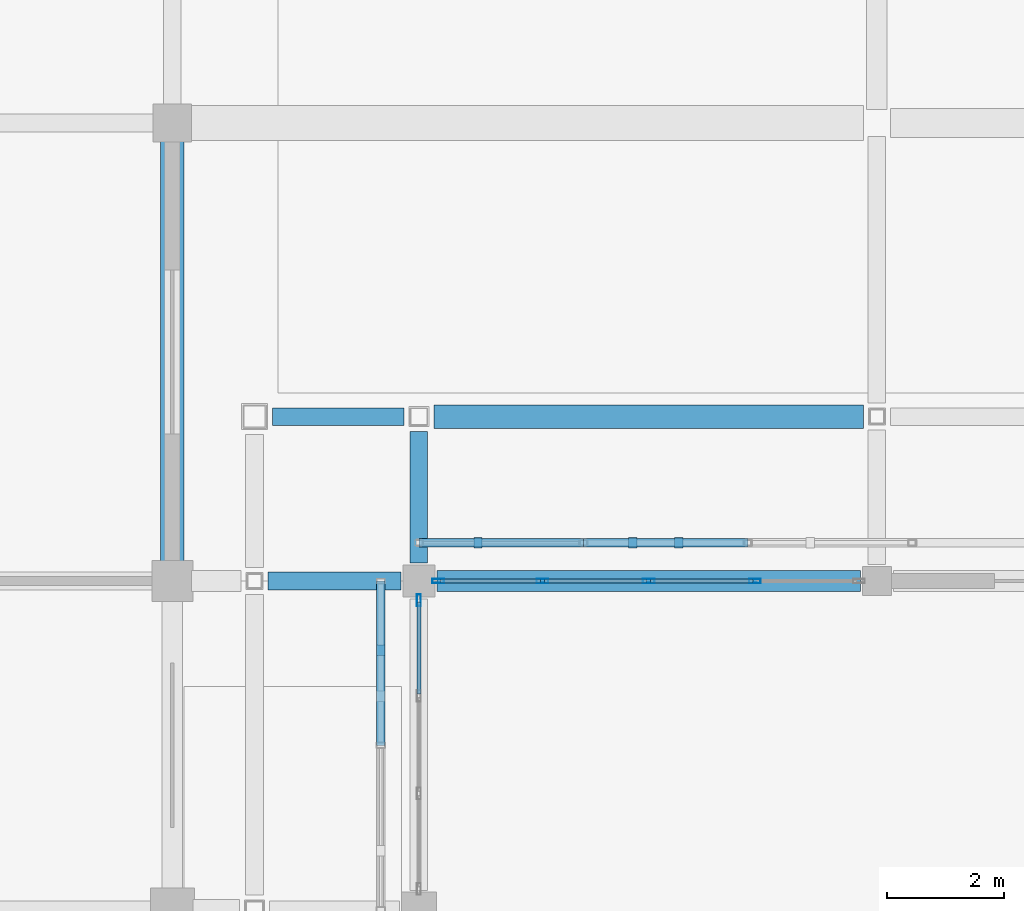
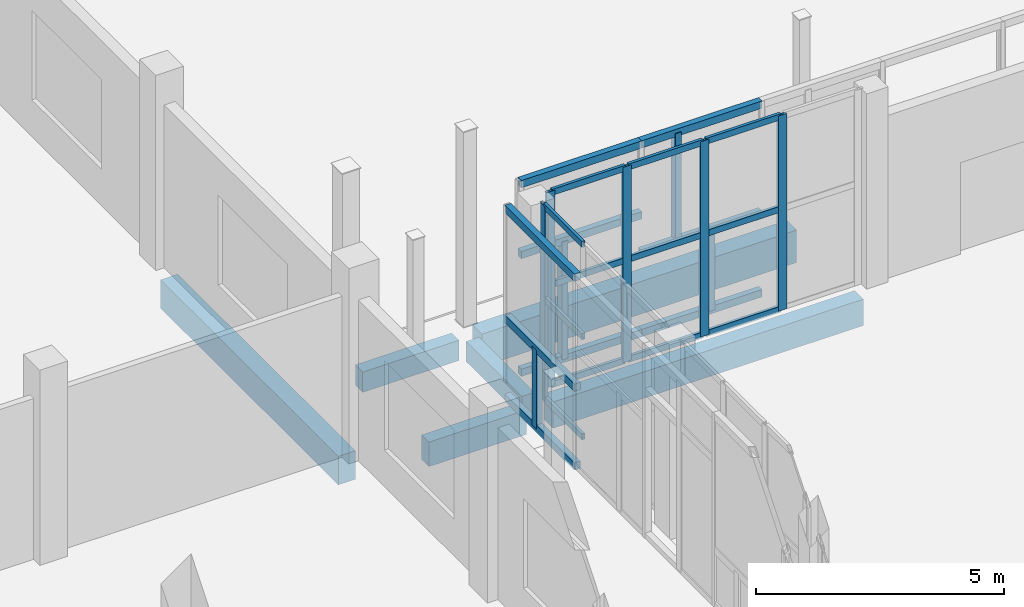
# One storey, part 38 of 91: 30 members, 6 beams, 2 elements without a shape of their own.
"""IFC4 building model written with IfcOpenShell, lengths in metres."""

from ifc_helpers import new_model, si_unit, direction, frame, origin, origin_2d, place, context, subcontext, project, spatial, rectangle, hollow_rectangle, extrude, material, layer, layer_set, material_profile, profile_set, type_object, element, aggregate, save


model = new_model("IFC4")

# Units and contexts
model_context = context("Model", 3, precision=1e-05, world=origin(), true_north=direction((0.0, 1.0)))
body_context = subcontext(model_context, "Body", "Model", "MODEL_VIEW")
ifc_project = project(units=[si_unit("LENGTHUNIT", "METRE"), si_unit("AREAUNIT", "SQUARE_METRE"), si_unit("VOLUMEUNIT", "CUBIC_METRE"), si_unit("PLANEANGLEUNIT", "RADIAN"), si_unit("MASSUNIT", "GRAM", prefix="KILO")], contexts=[model_context])

# Site, building, storey
site_placement = place(None, origin())
site = spatial("IfcSite", under=ifc_project, at=site_placement, CompositionType="ELEMENT")
building_placement = place(site_placement, origin())
building = spatial("IfcBuilding", under=site, at=building_placement, Name="Vinh Khe Railworks Police Headquarters", CompositionType="ELEMENT")
storey_placement = place(building_placement, origin())
storey = spatial("IfcBuildingStorey", under=building, at=storey_placement, Name="L00", CompositionType="ELEMENT", Elevation=0.0)

# Members
ifc_material_1 = material(Name="Salvaged ironwood timber", Category="wood")
ifc_material_profile_1 = material_profile(ifc_material_1, rectangle(XDim=0.139892578125, YDim=0.179931640625, at=origin_2d()), Name="TIMBER 140x180")
ifc_profile_set_1 = profile_set([ifc_material_profile_1], Name="Salvaged ironwood timber")
member_type_1 = type_object("IfcMemberType", Name="MEM-QUILT-STILE", PredefinedType="CHORD", material=ifc_profile_set_1)
for number, where, z_axis, x_axis, name in (
    (1, (26.39990234375, 59.449951171875, 4.719970703125), (1.0, 0.0, 0.0), (0.0, 1.0, 0.0), "Salvaged Timber Quilt Transom N-L00-00-TOP"),
    (2, (26.39990234375, 59.449951171875, 0.080078125), (1.0, 0.0, 0.0), (0.0, 1.0, 0.0), "Salvaged Timber Quilt Transom N-L00-00-BOT"),
    (3, (26.39990234375, 59.449951171875, 2.97607421875), (1.0, 0.0, 0.0), (0.0, 1.0, 0.0), "Salvaged Timber Quilt Transom N-L00-00-M1"),
):
    element("IfcMember", number, at=place(storey_placement, frame(where, z_axis=z_axis, x_axis=x_axis)), inside=storey, type_object=member_type_1, Name=name, PredefinedType="CHORD", context=body_context, shape_type="SweptSolid", body=[
        extrude(rectangle(XDim=0.139892578125, YDim=0.179931640625, at=origin_2d()), origin(), (0.0, 0.0, 1.0), 2.800048828125),
    ])
member_1_placement = place(storey_placement, frame((27.407958984375, 59.449951171875, 0.080078125), z_axis=(0.0, 0.0, 1.0), x_axis=(1.0, 0.0, 0.0)))
element("IfcMember", 4, at=member_1_placement, inside=storey, type_object=member_type_1, Name="Salvaged Timber Quilt Stile N-L00-00-V1", PredefinedType="POST", context=body_context, shape_type="SweptSolid", body=[
    extrude(rectangle(XDim=0.139892578125, YDim=0.179931640625, at=origin_2d()), origin(), (0.0, 0.0, 1.0), 2.89599609375),
])
for number, where, z_axis, x_axis, name in (
    (5, (29.199951171875, 59.449951171875, 4.719970703125), (1.0, 0.0, 0.0), (0.0, 1.0, 0.0), "Salvaged Timber Quilt Transom N-L00-01-TOP"),
    (6, (29.199951171875, 59.449951171875, 0.080078125), (1.0, 0.0, 0.0), (0.0, 1.0, 0.0), "Salvaged Timber Quilt Transom N-L00-01-BOT"),
    (7, (29.199951171875, 59.449951171875, 2.01611328125), (1.0, 0.0, 0.0), (0.0, 1.0, 0.0), "Salvaged Timber Quilt Transom N-L00-01-M1"),
):
    element("IfcMember", number, at=place(storey_placement, frame(where, z_axis=z_axis, x_axis=x_axis)), inside=storey, type_object=member_type_1, Name=name, PredefinedType="CHORD", context=body_context, shape_type="SweptSolid", body=[
        extrude(rectangle(XDim=0.139892578125, YDim=0.179931640625, at=origin_2d()), origin(), (0.0, 0.0, 1.0), 2.800048828125),
    ])
member_2_placement = place(storey_placement, frame((30.823974609375, 59.449951171875, 0.080078125), z_axis=(0.0, 0.0, 1.0), x_axis=(1.0, 0.0, 0.0)))
element("IfcMember", 8, at=member_2_placement, inside=storey, type_object=member_type_1, Name="Salvaged Timber Quilt Stile N-L00-01-V1", PredefinedType="POST", context=body_context, shape_type="SweptSolid", body=[
    extrude(rectangle(XDim=0.139892578125, YDim=0.179931640625, at=origin_2d()), origin(), (0.0, 0.0, 1.0), 1.93603515625),
])
member_3_placement = place(storey_placement, frame((30.0400390625, 59.449951171875, 2.01611328125), z_axis=(0.0, 0.0, 1.0), x_axis=(1.0, 0.0, 0.0)))
element("IfcMember", 9, at=member_3_placement, inside=storey, type_object=member_type_1, Name="Salvaged Timber Quilt Stile N-L00-01-V2", PredefinedType="POST", context=body_context, shape_type="SweptSolid", body=[
    extrude(rectangle(XDim=0.139892578125, YDim=0.179931640625, at=origin_2d()), origin(), (0.0, 0.0, 1.0), 2.703857421875),
])
for number, where, z_axis, x_axis, name in (
    (10, (25.75, 56.0, 4.719970703125), (0.0, 1.0, 0.0), (-1.0, 0.0, 0.0), "Salvaged Timber Quilt Transom W-L00-11-TOP"),
    (11, (25.75, 56.0, 0.080078125), (0.0, 1.0, 0.0), (-1.0, 0.0, 0.0), "Salvaged Timber Quilt Transom W-L00-11-BOT"),
    (12, (25.75, 56.0, 2.01611328125), (0.0, 1.0, 0.0), (-1.0, 0.0, 0.0), "Salvaged Timber Quilt Transom W-L00-11-M1"),
):
    element("IfcMember", number, at=place(storey_placement, frame(where, z_axis=z_axis, x_axis=x_axis)), inside=storey, type_object=member_type_1, Name=name, PredefinedType="CHORD", context=body_context, shape_type="SweptSolid", body=[
        extrude(rectangle(XDim=0.139892578125, YDim=0.179931640625, at=origin_2d()), origin(), (0.0, 0.0, 1.0), 2.800048828125),
    ])
member_4_placement = place(storey_placement, frame((25.75, 57.6240234375, 0.080078125), z_axis=(0.0, 0.0, 1.0), x_axis=(1.0, 0.0, 0.0)))
element("IfcMember", 13, at=member_4_placement, inside=storey, type_object=member_type_1, Name="Salvaged Timber Quilt Stile W-L00-11-V1", PredefinedType="POST", context=body_context, shape_type="SweptSolid", body=[
    extrude(rectangle(XDim=0.139892578125, YDim=0.179931640625, at=origin_2d()), origin(), (0.0, 0.0, 1.0), 1.93603515625),
])

# Curtain wall, members
ifc_material_2 = material(Name="Anodised aluminium and low-iron glass", Category="aluminium")
ifc_layer = layer(ifc_material_2, 0.179931640625)
ifc_layer_set = layer_set([ifc_layer], Name="Anodised aluminium and low-iron glass")
curtain_wall_type = type_object("IfcCurtainWallType", Name="CW-CUBE-UNIT", PredefinedType="USERDEFINED", material=ifc_layer_set)
curtain_wall_1_placement = place(storey_placement, origin())
curtain_wall_1 = element("IfcCurtainWall", 14, at=curtain_wall_1_placement, inside=storey, type_object=curtain_wall_type, Name="Entrance Hall Curtain Wall L00 N-1", ObjectType="UNITISED GLAZING", PredefinedType="USERDEFINED")
ifc_material_3 = material(Name="Anodised aluminium 6063-T6", Category="aluminium")
ifc_material_profile_2 = material_profile(ifc_material_3, hollow_rectangle(XDim=0.070068359375, YDim=0.199951171875, WallThickness=0.0048828125, at=origin_2d()), Name="CW-M 70x200x5")
ifc_profile_set_2 = profile_set([ifc_material_profile_2], Name="Anodised aluminium 6063-T6")
member_type_2 = type_object("IfcMemberType", Name="MULL-CWM-03", PredefinedType="MULLION", material=ifc_profile_set_2)
member_5_placement = place(storey_placement, frame((26.72998046875, 58.800048828125, 0.0), z_axis=(0.0, 0.0, 1.0), x_axis=(0.0, 1.0, 0.0)))
member_5 = element("IfcMember", 15, at=member_5_placement, type_object=member_type_2, Name="CW-01 mullion 1", PredefinedType="MULLION", context=body_context, shape_type="SweptSolid", body=[
    extrude(hollow_rectangle(XDim=0.070068359375, YDim=0.199951171875, WallThickness=0.0048828125, at=origin_2d()), origin(), (0.0, 0.0, 1.0), 4.800048828125),
])
member_6_placement = place(storey_placement, frame((28.503662109375, 58.800048828125, 0.0), z_axis=(0.0, 0.0, 1.0), x_axis=(0.0, 1.0, 0.0)))
member_6 = element("IfcMember", 16, at=member_6_placement, type_object=member_type_2, Name="CW-01 mullion 2", PredefinedType="MULLION", context=body_context, shape_type="SweptSolid", body=[
    extrude(hollow_rectangle(XDim=0.070068359375, YDim=0.199951171875, WallThickness=0.0048828125, at=origin_2d()), origin(), (0.0, 0.0, 1.0), 4.800048828125),
])
member_7_placement = place(storey_placement, frame((30.3125, 58.800048828125, 0.0), z_axis=(0.0, 0.0, 1.0), x_axis=(0.0, 1.0, 0.0)))
member_7 = element("IfcMember", 17, at=member_7_placement, type_object=member_type_2, Name="CW-01 mullion 3", PredefinedType="MULLION", context=body_context, shape_type="SweptSolid", body=[
    extrude(hollow_rectangle(XDim=0.070068359375, YDim=0.199951171875, WallThickness=0.0048828125, at=origin_2d()), origin(), (0.0, 0.0, 1.0), 4.800048828125),
])
member_8_placement = place(storey_placement, frame((32.121337890625, 58.800048828125, 0.0), z_axis=(0.0, 0.0, 1.0), x_axis=(0.0, 1.0, 0.0)))
member_8 = element("IfcMember", 18, at=member_8_placement, type_object=member_type_2, Name="CW-01 mullion 4", PredefinedType="MULLION", context=body_context, shape_type="SweptSolid", body=[
    extrude(hollow_rectangle(XDim=0.070068359375, YDim=0.199951171875, WallThickness=0.0048828125, at=origin_2d()), origin(), (0.0, 0.0, 1.0), 4.800048828125),
])

# Curtain wall, member
curtain_wall_2_placement = place(storey_placement, origin())
curtain_wall_2 = element("IfcCurtainWall", 19, at=curtain_wall_2_placement, inside=storey, type_object=curtain_wall_type, Name="Entrance Hall Curtain Wall L00 W-6", ObjectType="UNITISED GLAZING", PredefinedType="USERDEFINED")
member_9_placement = place(storey_placement, frame((26.39990234375, 58.469970703125, 0.0), z_axis=(0.0, 0.0, 1.0), x_axis=(-1.0, 0.0, 0.0)))
member_9 = element("IfcMember", 20, at=member_9_placement, type_object=member_type_2, Name="CW-01 mullion 4", PredefinedType="MULLION", context=body_context, shape_type="SweptSolid", body=[
    extrude(hollow_rectangle(XDim=0.070068359375, YDim=0.199951171875, WallThickness=0.0048828125, at=origin_2d()), origin(), (0.0, 0.0, 1.0), 4.800048828125),
])

# Beams
ifc_material_4 = material(Name="Concrete C35/45 (B35)", Category="concrete")
ifc_material_profile_3 = material_profile(ifc_material_4, rectangle(XDim=0.300048828125, YDim=0.5, at=origin_2d()), Name="RC 300x500")
ifc_profile_set_3 = profile_set([ifc_material_profile_3], Name="Concrete C35/45 (B35)")
beam_type_1 = type_object("IfcBeamType", Name="RC Girder RC 300x500", PredefinedType="BEAM", material=ifc_profile_set_3)
for number, where, z_axis, x_axis, name in (
    (21, (23.905029296875, 61.60009765625, -0.530029296875), (1.0, 0.0, 0.0), (0.0, 1.0, 0.0), "Girder BM-L00-EW-RB-10-0084"),
    (22, (26.39990234375, 59.10498046875, -0.530029296875), (0.0, 1.0, 0.0), (-1.0, 0.0, 0.0), "Girder BM-L00-NS-RB-10-0282"),
):
    element("IfcBeam", number, at=place(storey_placement, frame(where, z_axis=z_axis, x_axis=x_axis)), inside=storey, type_object=beam_type_1, Name=name, PredefinedType="BEAM", context=body_context, shape_type="SweptSolid", body=[
        extrude(rectangle(XDim=0.300048828125, YDim=0.5, at=origin_2d()), origin(), (0.0, 0.0, 1.0), 2.239990234375),
    ])
ifc_material_profile_4 = material_profile(ifc_material_4, rectangle(XDim=0.300048828125, YDim=0.60009765625, at=origin_2d()), Name="RC 300x600")
ifc_profile_set_4 = profile_set([ifc_material_profile_4], Name="Concrete C35/45 (B35)")
beam_type_2 = type_object("IfcBeamType", Name="RC Girder RC 300x600", PredefinedType="BEAM", material=ifc_profile_set_4)
beam_1_placement = place(storey_placement, frame((23.830078125, 58.800048828125, -0.580078125), z_axis=(1.0, 0.0, 0.0), x_axis=(0.0, 1.0, 0.0)))
element("IfcBeam", 23, at=beam_1_placement, inside=storey, type_object=beam_type_2, Name="Girder BM-L00-EW-RB-09-0077", PredefinedType="BEAM", context=body_context, shape_type="SweptSolid", body=[
    extrude(rectangle(XDim=0.300048828125, YDim=0.60009765625, at=origin_2d()), origin(), (0.0, 0.0, 1.0), 2.264892578125),
])
ifc_material_profile_5 = material_profile(ifc_material_4, rectangle(XDim=0.35009765625, YDim=0.64990234375, at=origin_2d()), Name="RC 350x650")
ifc_profile_set_5 = profile_set([ifc_material_profile_5], Name="Concrete C35/45 (B35)")
beam_type_3 = type_object("IfcBeamType", Name="RC Girder RC 350x650", PredefinedType="BEAM", material=ifc_profile_set_5)
beam_2_placement = place(storey_placement, frame((26.705078125, 58.800048828125, -0.60498046875), z_axis=(1.0, 0.0, 0.0), x_axis=(0.0, 1.0, 0.0)))
element("IfcBeam", 24, at=beam_2_placement, inside=storey, type_object=beam_type_3, Name="Girder BM-L00-EW-RB-08-0078", PredefinedType="BEAM", context=body_context, shape_type="SweptSolid", body=[
    extrude(rectangle(XDim=0.35009765625, YDim=0.64990234375, at=origin_2d()), origin(), (0.0, 0.0, 1.0), 7.21484375),
])
ifc_material_profile_6 = material_profile(ifc_material_4, rectangle(XDim=0.39990234375, YDim=0.699951171875, at=origin_2d()), Name="RC 400x700")
ifc_profile_set_6 = profile_set([ifc_material_profile_6], Name="Concrete C35/45 (B35)")
beam_type_4 = type_object("IfcBeamType", Name="RC Girder RC 400x700", PredefinedType="BEAM", material=ifc_profile_set_6)
beam_3_placement = place(storey_placement, frame((22.199951171875, 59.1298828125, -0.6298828125), z_axis=(0.0, 1.0, 0.0), x_axis=(-1.0, 0.0, 0.0)))
element("IfcBeam", 25, at=beam_3_placement, inside=storey, type_object=beam_type_4, Name="Girder BM-L00-NS-RB-07-0254", PredefinedType="BEAM", context=body_context, shape_type="SweptSolid", body=[
    extrude(rectangle(XDim=0.39990234375, YDim=0.699951171875, at=origin_2d()), origin(), (0.0, 0.0, 1.0), 7.1650390625),
])
ifc_material_profile_7 = material_profile(ifc_material_4, rectangle(XDim=0.39990234375, YDim=0.800048828125, at=origin_2d()), Name="RC 400x800")
ifc_profile_set_7 = profile_set([ifc_material_profile_7], Name="Concrete C35/45 (B35)")
beam_type_5 = type_object("IfcBeamType", Name="RC Girder RC 400x800", PredefinedType="BEAM", material=ifc_profile_set_7)
beam_4_placement = place(storey_placement, frame((26.655029296875, 61.60009765625, -0.679931640625), z_axis=(1.0, 0.0, 0.0), x_axis=(0.0, 1.0, 0.0)))
element("IfcBeam", 26, at=beam_4_placement, inside=storey, type_object=beam_type_5, Name="Girder BM-L00-EW-RB-06-0085", PredefinedType="BEAM", context=body_context, shape_type="SweptSolid", body=[
    extrude(rectangle(XDim=0.39990234375, YDim=0.800048828125, at=origin_2d()), origin(), (0.0, 0.0, 1.0), 7.31494140625),
])

# Member
ifc_material_profile_8 = material_profile(ifc_material_3, hollow_rectangle(XDim=0.070068359375, YDim=0.14990234375, WallThickness=0.0048828125, at=origin_2d()), Name="CW-T 70x150x5")
ifc_profile_set_8 = profile_set([ifc_material_profile_8], Name="Anodised aluminium 6063-T6")
member_type_3 = type_object("IfcMemberType", Name="TRAN-CWT-03", PredefinedType="USERDEFINED", material=ifc_profile_set_8)
member_10_placement = place(storey_placement, frame((26.764892578125, 58.800048828125, 0.034912109375), z_axis=(1.0, 0.0, 0.0), x_axis=(0.0, 1.0, 0.0)))
member_10 = element("IfcMember", 27, at=member_10_placement, type_object=member_type_3, Name="CW-01 transom 1.1", ObjectType="TRANSOM", PredefinedType="USERDEFINED", context=body_context, shape_type="SweptSolid", body=[
    extrude(hollow_rectangle(XDim=0.070068359375, YDim=0.14990234375, WallThickness=0.0048828125, at=origin_2d()), origin(), (0.0, 0.0, 1.0), 1.703857421875),
])

member_11_placement = place(storey_placement, frame((26.764892578125, 58.800048828125, 2.49609375), z_axis=(1.0, 0.0, 0.0), x_axis=(0.0, 1.0, 0.0)))
member_11 = element("IfcMember", 28, at=member_11_placement, type_object=member_type_3, Name="CW-01 transom 1.2", ObjectType="TRANSOM", PredefinedType="USERDEFINED", context=body_context, shape_type="SweptSolid", body=[
    extrude(hollow_rectangle(XDim=0.070068359375, YDim=0.14990234375, WallThickness=0.0048828125, at=origin_2d()), origin(), (0.0, 0.0, 1.0), 1.703857421875),
])

member_12_placement = place(storey_placement, frame((26.764892578125, 58.800048828125, 4.764892578125), z_axis=(1.0, 0.0, 0.0), x_axis=(0.0, 1.0, 0.0)))
member_12 = element("IfcMember", 29, at=member_12_placement, type_object=member_type_3, Name="CW-01 transom 1.3", ObjectType="TRANSOM", PredefinedType="USERDEFINED", context=body_context, shape_type="SweptSolid", body=[
    extrude(hollow_rectangle(XDim=0.070068359375, YDim=0.14990234375, WallThickness=0.0048828125, at=origin_2d()), origin(), (0.0, 0.0, 1.0), 1.703857421875),
])

member_13_placement = place(storey_placement, frame((28.538818359375, 58.800048828125, 0.034912109375), z_axis=(1.0, 0.0, 0.0), x_axis=(0.0, 1.0, 0.0)))
member_13 = element("IfcMember", 30, at=member_13_placement, type_object=member_type_3, Name="CW-01 transom 2.1", ObjectType="TRANSOM", PredefinedType="USERDEFINED", context=body_context, shape_type="SweptSolid", body=[
    extrude(hollow_rectangle(XDim=0.070068359375, YDim=0.14990234375, WallThickness=0.0048828125, at=origin_2d()), origin(), (0.0, 0.0, 1.0), 1.73876953125),
])

member_14_placement = place(storey_placement, frame((28.538818359375, 58.800048828125, 2.49609375), z_axis=(1.0, 0.0, 0.0), x_axis=(0.0, 1.0, 0.0)))
member_14 = element("IfcMember", 31, at=member_14_placement, type_object=member_type_3, Name="CW-01 transom 2.2", ObjectType="TRANSOM", PredefinedType="USERDEFINED", context=body_context, shape_type="SweptSolid", body=[
    extrude(hollow_rectangle(XDim=0.070068359375, YDim=0.14990234375, WallThickness=0.0048828125, at=origin_2d()), origin(), (0.0, 0.0, 1.0), 1.73876953125),
])

member_15_placement = place(storey_placement, frame((28.538818359375, 58.800048828125, 4.764892578125), z_axis=(1.0, 0.0, 0.0), x_axis=(0.0, 1.0, 0.0)))
member_15 = element("IfcMember", 32, at=member_15_placement, type_object=member_type_3, Name="CW-01 transom 2.3", ObjectType="TRANSOM", PredefinedType="USERDEFINED", context=body_context, shape_type="SweptSolid", body=[
    extrude(hollow_rectangle(XDim=0.070068359375, YDim=0.14990234375, WallThickness=0.0048828125, at=origin_2d()), origin(), (0.0, 0.0, 1.0), 1.73876953125),
])

member_16_placement = place(storey_placement, frame((30.347412109375, 58.800048828125, 0.034912109375), z_axis=(1.0, 0.0, 0.0), x_axis=(0.0, 1.0, 0.0)))
member_16 = element("IfcMember", 33, at=member_16_placement, type_object=member_type_3, Name="CW-01 transom 3.1", ObjectType="TRANSOM", PredefinedType="USERDEFINED", context=body_context, shape_type="SweptSolid", body=[
    extrude(hollow_rectangle(XDim=0.070068359375, YDim=0.14990234375, WallThickness=0.0048828125, at=origin_2d()), origin(), (0.0, 0.0, 1.0), 1.73876953125),
])

member_17_placement = place(storey_placement, frame((30.347412109375, 58.800048828125, 2.49609375), z_axis=(1.0, 0.0, 0.0), x_axis=(0.0, 1.0, 0.0)))
member_17 = element("IfcMember", 34, at=member_17_placement, type_object=member_type_3, Name="CW-01 transom 3.2", ObjectType="TRANSOM", PredefinedType="USERDEFINED", context=body_context, shape_type="SweptSolid", body=[
    extrude(hollow_rectangle(XDim=0.070068359375, YDim=0.14990234375, WallThickness=0.0048828125, at=origin_2d()), origin(), (0.0, 0.0, 1.0), 1.73876953125),
])

member_18_placement = place(storey_placement, frame((30.347412109375, 58.800048828125, 4.764892578125), z_axis=(1.0, 0.0, 0.0), x_axis=(0.0, 1.0, 0.0)))
member_18 = element("IfcMember", 35, at=member_18_placement, type_object=member_type_3, Name="CW-01 transom 3.3", ObjectType="TRANSOM", PredefinedType="USERDEFINED", context=body_context, shape_type="SweptSolid", body=[
    extrude(hollow_rectangle(XDim=0.070068359375, YDim=0.14990234375, WallThickness=0.0048828125, at=origin_2d()), origin(), (0.0, 0.0, 1.0), 1.73876953125),
])

aggregate(curtain_wall_1, [member_5, member_6, member_7, member_8, member_10, member_11, member_12, member_13, member_14, member_15, member_16, member_17, member_18])

member_19_placement = place(storey_placement, frame((26.39990234375, 56.87841796875, 0.034912109375), z_axis=(0.0, 1.0, 0.0), x_axis=(-1.0, 0.0, 0.0)))
member_19 = element("IfcMember", 36, at=member_19_placement, type_object=member_type_3, Name="CW-01 transom 3.1", ObjectType="TRANSOM", PredefinedType="USERDEFINED", context=body_context, shape_type="SweptSolid", body=[
    extrude(hollow_rectangle(XDim=0.070068359375, YDim=0.14990234375, WallThickness=0.0048828125, at=origin_2d()), origin(), (0.0, 0.0, 1.0), 1.556640625),
])

member_20_placement = place(storey_placement, frame((26.39990234375, 56.87841796875, 2.49609375), z_axis=(0.0, 1.0, 0.0), x_axis=(-1.0, 0.0, 0.0)))
member_20 = element("IfcMember", 37, at=member_20_placement, type_object=member_type_3, Name="CW-01 transom 3.2", ObjectType="TRANSOM", PredefinedType="USERDEFINED", context=body_context, shape_type="SweptSolid", body=[
    extrude(hollow_rectangle(XDim=0.070068359375, YDim=0.14990234375, WallThickness=0.0048828125, at=origin_2d()), origin(), (0.0, 0.0, 1.0), 1.556640625),
])

member_21_placement = place(storey_placement, frame((26.39990234375, 56.87841796875, 4.764892578125), z_axis=(0.0, 1.0, 0.0), x_axis=(-1.0, 0.0, 0.0)))
member_21 = element("IfcMember", 38, at=member_21_placement, type_object=member_type_3, Name="CW-01 transom 3.3", ObjectType="TRANSOM", PredefinedType="USERDEFINED", context=body_context, shape_type="SweptSolid", body=[
    extrude(hollow_rectangle(XDim=0.070068359375, YDim=0.14990234375, WallThickness=0.0048828125, at=origin_2d()), origin(), (0.0, 0.0, 1.0), 1.556640625),
])

aggregate(curtain_wall_2, [member_9, member_19, member_20, member_21])

save(model, "model.ifc")
